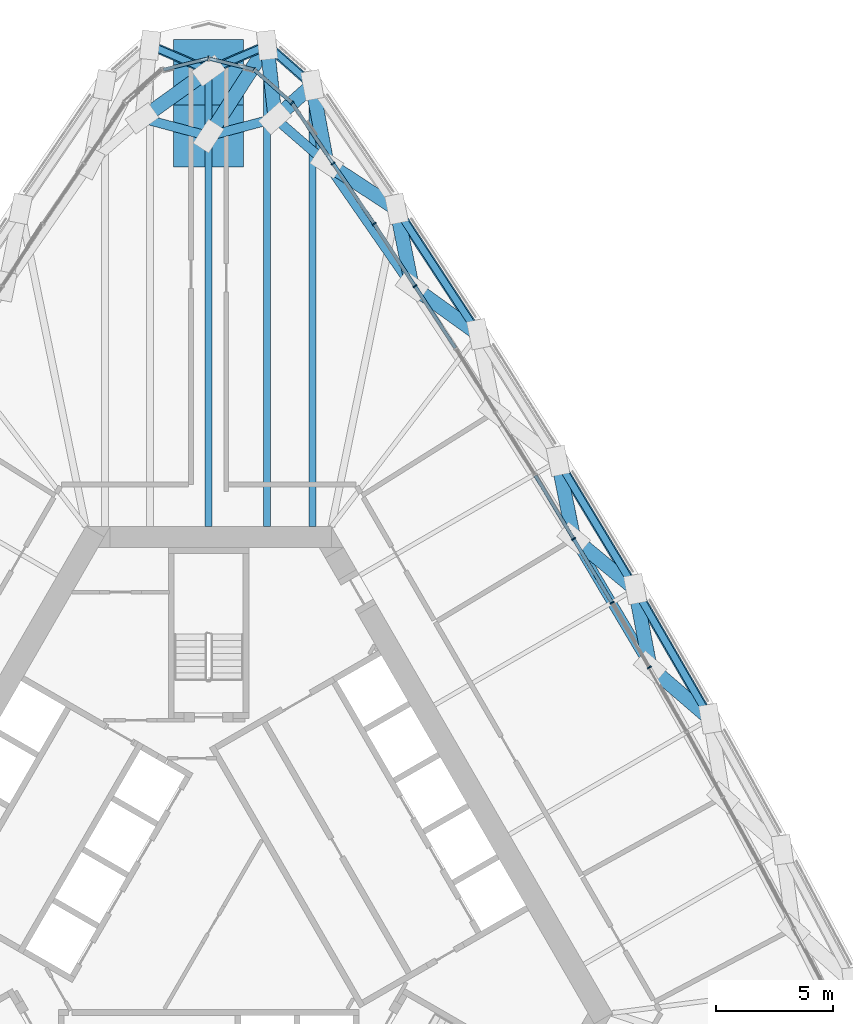
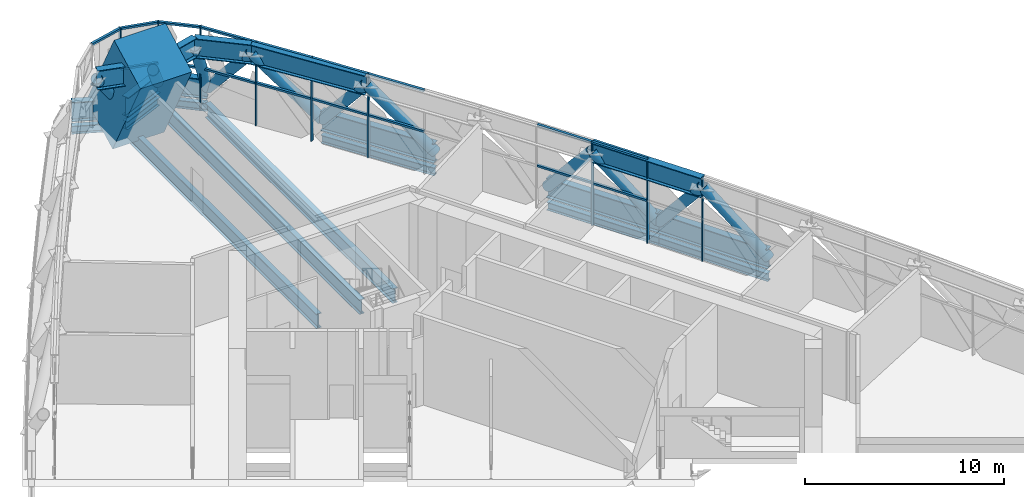
# One storey, part 9 of 43: 51 members, 9 beams, 2 elements without a shape of their own.
"""IFC4 building model written with IfcOpenShell, lengths in metres."""

from ifc_helpers import new_model, si_unit, direction, frame, origin, origin_2d, place, context, subcontext, project, spatial, rectangle, hollow_circle, i_section, extrude, material, material_profile, profile_set, type_object, element, aggregate, save


model = new_model("IFC4")

# Units and contexts
model_context = context("Model", 3, precision=1e-05, world=origin(), true_north=direction((0.0, 1.0)))
body_context = subcontext(model_context, "Body", "Model", "MODEL_VIEW")
ifc_project = project(units=[si_unit("LENGTHUNIT", "METRE"), si_unit("AREAUNIT", "SQUARE_METRE"), si_unit("VOLUMEUNIT", "CUBIC_METRE"), si_unit("PLANEANGLEUNIT", "RADIAN"), si_unit("MASSUNIT", "GRAM", prefix="KILO")], contexts=[model_context])

# Site, building, storey
site_placement = place(None, origin())
site = spatial("IfcSite", under=ifc_project, at=site_placement, CompositionType="ELEMENT")
building_placement = place(site_placement, origin())
building = spatial("IfcBuilding", under=site, at=building_placement, Name="Mestral Congress Tower", CompositionType="ELEMENT")
storey_placement = place(building_placement, frame((0.0, 0.0, 78.300048828125)))
storey = spatial("IfcBuildingStorey", under=building, at=storey_placement, Name="L18", CompositionType="ELEMENT", Elevation=78.300048828125)

# Members
ifc_material_1 = material(Name="Steel S355", Category="steel")
ifc_material_profile_1 = material_profile(ifc_material_1, i_section(OverallWidth=0.39990234375, OverallDepth=1.199951171875, WebThickness=0.02001953125, FlangeThickness=0.0400390625, FilletRadius=0.010009765625, at=origin_2d()), Name="WPG 1200")
ifc_profile_set_1 = profile_set([ifc_material_profile_1], Name="Steel S355")
member_type_1 = type_object("IfcMemberType", Name="Belt chord WPG 1200 S355", PredefinedType="CHORD", material=ifc_profile_set_1)
for number, where, z_axis, x_axis, name in (
    (1, (21.443359375, 8.685302734375, 0.599853515625), (-0.499999833739, 0.866025499775, 0.0), (-0.866025499775, -0.499999833739, 0.0), "MB-L18-BC1-E04"),
    (2, (18.243408203125, 14.227783203125, 0.599853515625), (-0.515908763091, 0.85664353623, 0.0), (-0.85664353623, -0.515908763091, 0.0), "MB-L18-BC1-E05"),
):
    element("IfcMember", number, at=place(storey_placement, frame(where, z_axis=z_axis, x_axis=x_axis)), inside=storey, type_object=member_type_1, Name=name, PredefinedType="CHORD", context=body_context, shape_type="SweptSolid", body=[
        extrude(i_section(OverallWidth=0.39990234375, OverallDepth=1.199951171875, WebThickness=0.02001953125, FlangeThickness=0.0400390625, FilletRadius=0.010009765625, at=origin_2d()), origin(), (0.0, 0.0, 1.0), 6.39990234375),
    ])
member_1_placement = place(storey_placement, frame((11.5390625, 25.130615234375, 0.599853515625), z_axis=(-0.547248335203, 0.836970285982, 0.0), x_axis=(-0.836970285982, -0.547248335203, 0.0)))
element("IfcMember", 3, at=member_1_placement, inside=storey, type_object=member_type_1, Name="MB-L18-BC1-E07", PredefinedType="CHORD", context=body_context, shape_type="SweptSolid", body=[
    extrude(i_section(OverallWidth=0.39990234375, OverallDepth=1.199951171875, WebThickness=0.02001953125, FlangeThickness=0.0400390625, FilletRadius=0.010009765625, at=origin_2d()), origin(), (0.0, 0.0, 1.0), 6.400146484375),
])
member_2_placement = place(storey_placement, frame((4.43603515625, 35.7783203125, 0.599853515625), z_axis=(-0.749865495527, 0.661590310251, 0.0), x_axis=(-0.661590310251, -0.749865495527, 0.0)))
element("IfcMember", 4, at=member_2_placement, inside=storey, type_object=member_type_1, Name="MB-L18-BC1-E09", PredefinedType="CHORD", context=body_context, shape_type="SweptSolid", body=[
    extrude(i_section(OverallWidth=0.39990234375, OverallDepth=1.199951171875, WebThickness=0.02001953125, FlangeThickness=0.0400390625, FilletRadius=0.010009765625, at=origin_2d()), origin(), (0.0, 0.0, 1.0), 2.57763671875),
])
for number, where, z_axis, x_axis, name in (
    (5, (2.503173828125, 37.483642578125, 0.599853515625), (-0.917554537012, -0.397609949082, 0.0), (0.397609949082, -0.917554537012, 0.0), "MB-L18-BC1-N1"),
    (6, (0.0, 36.39892578125, 0.599853515625), (-0.917554537012, 0.397609949082, 0.0), (-0.397609949082, -0.917554537012, 0.0), "MB-L18-BC1-N"),
):
    element("IfcMember", number, at=place(storey_placement, frame(where, z_axis=z_axis, x_axis=x_axis)), inside=storey, type_object=member_type_1, Name=name, PredefinedType="CHORD", context=body_context, shape_type="SweptSolid", body=[
        extrude(i_section(OverallWidth=0.39990234375, OverallDepth=1.199951171875, WebThickness=0.02001953125, FlangeThickness=0.0400390625, FilletRadius=0.010009765625, at=origin_2d()), origin(), (0.0, 0.0, 1.0), 2.72802734375),
    ])
for number, where, z_axis, x_axis, name in (
    (7, (18.873779296875, 10.896728515625, 4.550048828125), (-0.510062734342, 0.860137202448, 0.0), (-0.860137202448, -0.510062734342, 0.0), "MB-L18-TC1-E04"),
    (8, (8.69873046875, 27.17431640625, 4.550048828125), (-0.569132611813, 0.822245748041, 0.0), (-0.822245748041, -0.569132611813, 0.0), "MB-L18-TC1-E07"),
):
    element("IfcMember", number, at=place(storey_placement, frame(where, z_axis=z_axis, x_axis=x_axis)), inside=storey, type_object=member_type_1, Name=name, PredefinedType="CHORD", context=body_context, shape_type="SweptSolid", body=[
        extrude(i_section(OverallWidth=0.39990234375, OverallDepth=1.199951171875, WebThickness=0.02001953125, FlangeThickness=0.0400390625, FilletRadius=0.010009765625, at=origin_2d()), origin(), (0.0, 0.0, 1.0), 6.39990234375),
    ])
member_3_placement = place(storey_placement, frame((5.056396484375, 32.4365234375, 4.550048828125), z_axis=(-0.754932095534, 0.6558029667, 0.0), x_axis=(-0.6558029667, -0.754932095534, 0.0)))
element("IfcMember", 9, at=member_3_placement, inside=storey, type_object=member_type_1, Name="MB-L18-TC1-E08", PredefinedType="CHORD", context=body_context, shape_type="SweptSolid", body=[
    extrude(i_section(OverallWidth=0.39990234375, OverallDepth=1.199951171875, WebThickness=0.02001953125, FlangeThickness=0.0400390625, FilletRadius=0.010009765625, at=origin_2d()), origin(), (0.0, 0.0, 1.0), 2.92822265625),
])
for number, where, z_axis, x_axis, name in (
    (10, (2.845703125, 34.35693359375, 4.550048828125), (-0.96626107679, -0.257564616128, 0.0), (0.257564616128, -0.96626107679, 0.0), "MB-L18-TC1-N1"),
    (11, (0.0, 33.598388671875, 4.550048828125), (-0.96626107679, 0.257564616128, 0.0), (-0.257564616128, -0.96626107679, 0.0), "MB-L18-TC1-N"),
):
    element("IfcMember", number, at=place(storey_placement, frame(where, z_axis=z_axis, x_axis=x_axis)), inside=storey, type_object=member_type_1, Name=name, PredefinedType="CHORD", context=body_context, shape_type="SweptSolid", body=[
        extrude(i_section(OverallWidth=0.39990234375, OverallDepth=1.199951171875, WebThickness=0.02001953125, FlangeThickness=0.0400390625, FilletRadius=0.010009765625, at=origin_2d()), origin(), (0.0, 0.0, 1.0), 2.945068359375),
    ])
ifc_material_profile_2 = material_profile(ifc_material_1, hollow_circle(Radius=0.304931640625, WallThickness=0.02490234375, at=origin_2d()), Name="CHS 610x25")
ifc_profile_set_2 = profile_set([ifc_material_profile_2], Name="Steel S355")
member_type_2 = type_object("IfcMemberType", Name="Belt diagonal CHS 610x25 S355", PredefinedType="BRACE", material=ifc_profile_set_2)
for number, where, z_axis, x_axis, name in (
    (12, (21.443359375, 8.685302734375, 0.599853515625), (-0.493628286394, 0.424825179873, 0.758850895379), (-0.652308309705, -0.757953738093, 0.0), "MD-L18-BD1-E04.E04"),
    (13, (18.243408203125, 14.227783203125, 0.599853515625), (0.12109689042, -0.639909362079, 0.758848833072), (0.982561001482, 0.185940523734, 0.0), "MD-L18-BD1-E05.E04"),
):
    element("IfcMember", number, at=place(storey_placement, frame(where, z_axis=z_axis, x_axis=x_axis)), inside=storey, type_object=member_type_2, Name=name, PredefinedType="BRACE", context=body_context, shape_type="SweptSolid", body=[
        extrude(hollow_circle(Radius=0.304931640625, WallThickness=0.02490234375, at=origin_2d()), origin(), (0.0, 0.0, 1.0), 5.20556640625),
    ])
member_4_placement = place(storey_placement, frame((18.243408203125, 14.227783203125, 0.599853515625), z_axis=(-0.504425427225, 0.416294745019, 0.756474502966), x_axis=(-0.636513742391, -0.771265360137, 0.0)))
element("IfcMember", 14, at=member_4_placement, inside=storey, type_object=member_type_2, Name="MD-L18-BD1-E05.E05", PredefinedType="BRACE", context=body_context, shape_type="SweptSolid", body=[
    extrude(hollow_circle(Radius=0.304931640625, WallThickness=0.02490234375, at=origin_2d()), origin(), (0.0, 0.0, 1.0), 5.221923828125),
])
member_5_placement = place(storey_placement, frame((14.941650390625, 19.710205078125, 0.599853515625), z_axis=(0.128511534315, -0.636778176612, 0.760262020187), x_axis=(0.980236999269, 0.197826755682, 0.0)))
element("IfcMember", 15, at=member_5_placement, inside=storey, type_object=member_type_2, Name="MD-L18-BD1-E06.E05", PredefinedType="BRACE", context=body_context, shape_type="SweptSolid", body=[
    extrude(hollow_circle(Radius=0.304931640625, WallThickness=0.02490234375, at=origin_2d()), origin(), (0.0, 0.0, 1.0), 5.19580078125),
])
member_6_placement = place(storey_placement, frame((11.5390625, 25.130615234375, 0.599853515625), z_axis=(-0.538232858456, 0.387274132554, 0.748548018722), x_axis=(-0.584052889906, -0.81171560401, 0.0)))
element("IfcMember", 16, at=member_6_placement, inside=storey, type_object=member_type_2, Name="MD-L18-BD1-E07.E07", PredefinedType="BRACE", context=body_context, shape_type="SweptSolid", body=[
    extrude(hollow_circle(Radius=0.304931640625, WallThickness=0.02490234375, at=origin_2d()), origin(), (0.0, 0.0, 1.0), 5.277099609375),
])
member_7_placement = place(storey_placement, frame((8.03662109375, 30.4873046875, 0.599853515625), z_axis=(0.127379793677, -0.637368657892, 0.759957618621), x_axis=(0.980608459293, 0.195977165925, 0.0)))
element("IfcMember", 17, at=member_7_placement, inside=storey, type_object=member_type_2, Name="MD-L18-BD1-E08.E07", PredefinedType="BRACE", context=body_context, shape_type="SweptSolid", body=[
    extrude(hollow_circle(Radius=0.304931640625, WallThickness=0.02490234375, at=origin_2d()), origin(), (0.0, 0.0, 1.0), 5.197998046875),
])
member_8_placement = place(storey_placement, frame((8.03662109375, 30.4873046875, 0.599853515625), z_axis=(-0.560362542845, 0.366505655941, 0.742743175492), x_axis=(-0.547369423173, -0.836891100786, 0.0)))
element("IfcMember", 18, at=member_8_placement, inside=storey, type_object=member_type_2, Name="MD-L18-BD1-E08.E08", PredefinedType="BRACE", context=body_context, shape_type="SweptSolid", body=[
    extrude(hollow_circle(Radius=0.304931640625, WallThickness=0.02490234375, at=origin_2d()), origin(), (0.0, 0.0, 1.0), 5.318359375),
])
member_9_placement = place(storey_placement, frame((4.43603515625, 35.7783203125, 0.599853515625), z_axis=(0.119044089764, -0.641273317861, 0.758021791568), x_axis=(0.983202365215, 0.182518790913, 0.0)))
element("IfcMember", 19, at=member_9_placement, inside=storey, type_object=member_type_2, Name="MD-L18-BD1-E09.E08", PredefinedType="BRACE", context=body_context, shape_type="SweptSolid", body=[
    extrude(hollow_circle(Radius=0.304931640625, WallThickness=0.02490234375, at=origin_2d()), origin(), (0.0, 0.0, 1.0), 5.211181640625),
])
member_10_placement = place(storey_placement, frame((4.43603515625, 35.7783203125, 0.599853515625), z_axis=(-0.354251864133, -0.316618721673, 0.879919429178), x_axis=(0.666393267935, -0.745600437534, 0.0)))
element("IfcMember", 20, at=member_10_placement, inside=storey, type_object=member_type_2, Name="MD-L18-BD1-E09.N1", PredefinedType="BRACE", context=body_context, shape_type="SweptSolid", body=[
    extrude(hollow_circle(Radius=0.304931640625, WallThickness=0.02490234375, at=origin_2d()), origin(), (0.0, 0.0, 1.0), 4.4892578125),
])
member_11_placement = place(storey_placement, frame((2.503173828125, 37.483642578125, 0.599853515625), z_axis=(0.067833996321, -0.619208831706, 0.782290848521), x_axis=(0.994052932577, 0.108897967081, 0.0)))
element("IfcMember", 21, at=member_11_placement, inside=storey, type_object=member_type_2, Name="MD-L18-BD1-N1.N1", PredefinedType="BRACE", context=body_context, shape_type="SweptSolid", body=[
    extrude(hollow_circle(Radius=0.304931640625, WallThickness=0.02490234375, at=origin_2d()), origin(), (0.0, 0.0, 1.0), 5.049560546875),
])
member_12_placement = place(storey_placement, frame((2.503173828125, 37.483642578125, 0.599853515625), z_axis=(-0.411713349033, -0.63903308656, 0.649714423812), x_axis=(0.840635703987, -0.541600972287, 0.0)))
element("IfcMember", 22, at=member_12_placement, inside=storey, type_object=member_type_2, Name="MD-L18-BD1-N1.N", PredefinedType="BRACE", context=body_context, shape_type="SweptSolid", body=[
    extrude(hollow_circle(Radius=0.304931640625, WallThickness=0.02490234375, at=origin_2d()), origin(), (0.0, 0.0, 1.0), 6.079833984375),
])
member_13_placement = place(storey_placement, frame((0.0, 36.39892578125, 0.599853515625), z_axis=(-0.539022720432, -0.386786722177, 0.748231607463), x_axis=(0.583003912778, -0.812469345689, 0.0)))
element("IfcMember", 23, at=member_13_placement, inside=storey, type_object=member_type_2, Name="MD-L18-BD1-N.N3", PredefinedType="BRACE", context=body_context, shape_type="SweptSolid", body=[
    extrude(hollow_circle(Radius=0.304931640625, WallThickness=0.02490234375, at=origin_2d()), origin(), (0.0, 0.0, 1.0), 5.279296875),
])

# Curtain wall, members
ifc_material_2 = material(Name="Clear low-emissivity double glazing", Category="glass")
curtain_wall_type = type_object("IfcCurtainWallType", Name="Facade refuge band screen", PredefinedType="USERDEFINED", material=ifc_material_2)
placement = place(storey_placement, origin())
curtain_wall_1 = element("IfcCurtainWall", 24, at=placement, inside=storey, type_object=curtain_wall_type, Name="Facade refuge band screen face 2", ObjectType="CURTAIN WALL", PredefinedType="USERDEFINED")
ifc_material_3 = material(Name="Anodised aluminium", Category="aluminium")
ifc_material_profile_3 = material_profile(ifc_material_3, rectangle(XDim=0.179931640625, YDim=0.06005859375, at=origin_2d()), Name="CW3 mullion 180 x 60")
ifc_profile_set_3 = profile_set([ifc_material_profile_3], Name="Anodised aluminium")
member_type_3 = type_object("IfcMemberType", Name="Facade refuge band screen mullion", PredefinedType="MULLION", material=ifc_profile_set_3)
member_14_placement = place(storey_placement, frame((18.847412109375, 10.881591796875, 0.0), z_axis=(0.0, 0.0, 1.0), x_axis=(0.866025403784, 0.5, 0.0)))
member_14 = element("IfcMember", 25, at=member_14_placement, type_object=member_type_3, Name="Facade refuge band screen mullion", PredefinedType="MULLION", context=body_context, shape_type="SweptSolid", body=[
    extrude(rectangle(XDim=0.179931640625, YDim=0.06005859375, at=origin_2d()), origin(), (0.0, 0.0, 1.0), 5.14990234375),
])
member_15_placement = place(storey_placement, frame((17.252685546875, 13.6435546875, 0.0), z_axis=(0.0, 0.0, 1.0), x_axis=(0.861366842292, 0.507983427879, 0.0)))
member_15 = element("IfcMember", 26, at=member_15_placement, type_object=member_type_3, Name="Facade refuge band screen mullion", PredefinedType="MULLION", context=body_context, shape_type="SweptSolid", body=[
    extrude(rectangle(XDim=0.179931640625, YDim=0.06005859375, at=origin_2d()), origin(), (0.0, 0.0, 1.0), 5.14990234375),
])
member_16_placement = place(storey_placement, frame((15.607421875, 16.375732421875, 0.0), z_axis=(0.0, 0.0, 1.0), x_axis=(0.856634687929, 0.515923455017, 0.0)))
member_16 = element("IfcMember", 27, at=member_16_placement, type_object=member_type_3, Name="Facade refuge band screen mullion", PredefinedType="MULLION", context=body_context, shape_type="SweptSolid", body=[
    extrude(rectangle(XDim=0.179931640625, YDim=0.06005859375, at=origin_2d()), origin(), (0.0, 0.0, 1.0), 5.14990234375),
])
member_17_placement = place(storey_placement, frame((8.8251953125, 27.1796875, 0.0), z_axis=(0.0, 0.0, 1.0), x_axis=(0.836978321403, 0.547236045507, 0.0)))
member_17 = element("IfcMember", 28, at=member_17_placement, type_object=member_type_3, Name="Facade refuge band screen mullion", PredefinedType="MULLION", context=body_context, shape_type="SweptSolid", body=[
    extrude(rectangle(XDim=0.179931640625, YDim=0.06005859375, at=origin_2d()), origin(), (0.0, 0.0, 1.0), 5.14990234375),
])
member_18_placement = place(storey_placement, frame((7.080078125, 29.84912109375, 0.0), z_axis=(0.0, 0.0, 1.0), x_axis=(0.831884391755, 0.554948969505, 0.0)))
member_18 = element("IfcMember", 29, at=member_18_placement, type_object=member_type_3, Name="Facade refuge band screen mullion", PredefinedType="MULLION", context=body_context, shape_type="SweptSolid", body=[
    extrude(rectangle(XDim=0.179931640625, YDim=0.06005859375, at=origin_2d()), origin(), (0.0, 0.0, 1.0), 5.14990234375),
])
member_19_placement = place(storey_placement, frame((5.3232421875, 32.430419921875, 0.0), z_axis=(0.0, 0.0, 1.0), x_axis=(0.826719388137, 0.562614480153, 0.0)))
member_19 = element("IfcMember", 30, at=member_19_placement, type_object=member_type_3, Name="Facade refuge band screen mullion", PredefinedType="MULLION", context=body_context, shape_type="SweptSolid", body=[
    extrude(rectangle(XDim=0.179931640625, YDim=0.06005859375, at=origin_2d()), origin(), (0.0, 0.0, 1.0), 5.14990234375),
])

curtain_wall_2 = element("IfcCurtainWall", 31, at=placement, inside=storey, type_object=curtain_wall_type, Name="Facade refuge band screen corner 2", ObjectType="CURTAIN WALL", PredefinedType="USERDEFINED")
member_20_placement = place(storey_placement, frame((3.566650390625, 35.01171875, 0.0), z_axis=(0.0, 0.0, 1.0), x_axis=(0.661641717429, 0.749820136938, 0.0)))
member_20 = element("IfcMember", 32, at=member_20_placement, type_object=member_type_3, Name="Facade refuge band screen mullion", PredefinedType="MULLION", context=body_context, shape_type="SweptSolid", body=[
    extrude(rectangle(XDim=0.179931640625, YDim=0.06005859375, at=origin_2d()), origin(), (0.0, 0.0, 1.0), 5.14990234375),
])
member_21_placement = place(storey_placement, frame((1.9541015625, 36.434326171875, 0.0), z_axis=(0.0, 0.0, 1.0), x_axis=(0.463555863661, 0.886067695645, 0.0)))
member_21 = element("IfcMember", 33, at=member_21_placement, type_object=member_type_3, Name="Facade refuge band screen mullion", PredefinedType="MULLION", context=body_context, shape_type="SweptSolid", body=[
    extrude(rectangle(XDim=0.179931640625, YDim=0.06005859375, at=origin_2d()), origin(), (0.0, 0.0, 1.0), 5.14990234375),
])
member_22_placement = place(storey_placement, frame((0.0, 36.914794921875, 0.0), z_axis=(0.0, 0.0, 1.0), x_axis=(0.0, 1.0, 0.0)))
member_22 = element("IfcMember", 34, at=member_22_placement, type_object=member_type_3, Name="Facade refuge band screen mullion", PredefinedType="MULLION", context=body_context, shape_type="SweptSolid", body=[
    extrude(rectangle(XDim=0.179931640625, YDim=0.06005859375, at=origin_2d()), origin(), (0.0, 0.0, 1.0), 5.14990234375),
])

# Member
ifc_material_profile_4 = material_profile(ifc_material_3, rectangle(XDim=0.14990234375, YDim=0.1201171875, at=origin_2d()), Name="CW3 transom 150 x 120")
ifc_profile_set_4 = profile_set([ifc_material_profile_4], Name="Anodised aluminium")
member_type_4 = type_object("IfcMemberType", Name="Facade refuge band screen transom", PredefinedType="USERDEFINED", material=ifc_profile_set_4)
member_23_placement = place(storey_placement, frame((17.2373046875, 13.669189453125, 2.599853515625), z_axis=(-0.515894700776, 0.856652005024, 0.0), x_axis=(-0.856652005024, -0.515894700776, 0.0)))
member_23 = element("IfcMember", 35, at=member_23_placement, type_object=member_type_4, Name="Facade refuge band screen transom", ObjectType="TRANSOM", PredefinedType="USERDEFINED", context=body_context, shape_type="SweptSolid", body=[
    extrude(rectangle(XDim=0.14990234375, YDim=0.1201171875, at=origin_2d()), origin(), (0.0, 0.0, 1.0), 3.129638671875),
])

member_24_placement = place(storey_placement, frame((17.2373046875, 13.669189453125, 5.08984375), z_axis=(-0.515894700776, 0.856652005024, 0.0), x_axis=(-0.856652005024, -0.515894700776, 0.0)))
member_24 = element("IfcMember", 36, at=member_24_placement, type_object=member_type_4, Name="Facade refuge band screen transom", ObjectType="TRANSOM", PredefinedType="USERDEFINED", context=body_context, shape_type="SweptSolid", body=[
    extrude(rectangle(XDim=0.14990234375, YDim=0.1201171875, at=origin_2d()), origin(), (0.0, 0.0, 1.0), 3.129638671875),
])

member_25_placement = place(storey_placement, frame((15.591796875, 16.4013671875, 2.599853515625), z_axis=(-0.515929179549, 0.856631240202, 0.0), x_axis=(-0.856631240202, -0.515929179549, 0.0)))
member_25 = element("IfcMember", 37, at=member_25_placement, type_object=member_type_4, Name="Facade refuge band screen transom", ObjectType="TRANSOM", PredefinedType="USERDEFINED", context=body_context, shape_type="SweptSolid", body=[
    extrude(rectangle(XDim=0.14990234375, YDim=0.1201171875, at=origin_2d()), origin(), (0.0, 0.0, 1.0), 3.12939453125),
])

member_26_placement = place(storey_placement, frame((15.591796875, 16.4013671875, 5.08984375), z_axis=(-0.515929179549, 0.856631240202, 0.0), x_axis=(-0.856631240202, -0.515929179549, 0.0)))
member_26 = element("IfcMember", 38, at=member_26_placement, type_object=member_type_4, Name="Facade refuge band screen transom", ObjectType="TRANSOM", PredefinedType="USERDEFINED", context=body_context, shape_type="SweptSolid", body=[
    extrude(rectangle(XDim=0.14990234375, YDim=0.1201171875, at=origin_2d()), origin(), (0.0, 0.0, 1.0), 3.12939453125),
])

member_27_placement = place(storey_placement, frame((10.55419921875, 24.535400390625, 2.599853515625), z_axis=(-0.54722413799, 0.836986106695, 0.0), x_axis=(-0.836986106695, -0.54722413799, 0.0)))
member_27 = element("IfcMember", 39, at=member_27_placement, type_object=member_type_4, Name="Facade refuge band screen transom", ObjectType="TRANSOM", PredefinedType="USERDEFINED", context=body_context, shape_type="SweptSolid", body=[
    extrude(rectangle(XDim=0.14990234375, YDim=0.1201171875, at=origin_2d()), origin(), (0.0, 0.0, 1.0), 3.129150390625),
])

member_28_placement = place(storey_placement, frame((10.55419921875, 24.535400390625, 5.08984375), z_axis=(-0.54722413799, 0.836986106695, 0.0), x_axis=(-0.836986106695, -0.54722413799, 0.0)))
member_28 = element("IfcMember", 40, at=member_28_placement, type_object=member_type_4, Name="Facade refuge band screen transom", ObjectType="TRANSOM", PredefinedType="USERDEFINED", context=body_context, shape_type="SweptSolid", body=[
    extrude(rectangle(XDim=0.14990234375, YDim=0.1201171875, at=origin_2d()), origin(), (0.0, 0.0, 1.0), 3.129150390625),
])

member_29_placement = place(storey_placement, frame((8.808837890625, 27.20458984375, 2.599853515625), z_axis=(-0.547188405714, 0.83700946748, 0.0), x_axis=(-0.83700946748, -0.547188405714, 0.0)))
member_29 = element("IfcMember", 41, at=member_29_placement, type_object=member_type_4, Name="Facade refuge band screen transom", ObjectType="TRANSOM", PredefinedType="USERDEFINED", context=body_context, shape_type="SweptSolid", body=[
    extrude(rectangle(XDim=0.14990234375, YDim=0.1201171875, at=origin_2d()), origin(), (0.0, 0.0, 1.0), 3.12939453125),
])

member_30_placement = place(storey_placement, frame((8.808837890625, 27.20458984375, 5.08984375), z_axis=(-0.547188405714, 0.83700946748, 0.0), x_axis=(-0.83700946748, -0.547188405714, 0.0)))
member_30 = element("IfcMember", 42, at=member_30_placement, type_object=member_type_4, Name="Facade refuge band screen transom", ObjectType="TRANSOM", PredefinedType="USERDEFINED", context=body_context, shape_type="SweptSolid", body=[
    extrude(rectangle(XDim=0.14990234375, YDim=0.1201171875, at=origin_2d()), origin(), (0.0, 0.0, 1.0), 3.12939453125),
])

member_31_placement = place(storey_placement, frame((7.06298828125, 29.873779296875, 2.599853515625), z_axis=(-0.562604367309, 0.826726270228, 0.0), x_axis=(-0.826726270228, -0.562604367309, 0.0)))
member_31 = element("IfcMember", 43, at=member_31_placement, type_object=member_type_4, Name="Facade refuge band screen transom", ObjectType="TRANSOM", PredefinedType="USERDEFINED", context=body_context, shape_type="SweptSolid", body=[
    extrude(rectangle(XDim=0.14990234375, YDim=0.1201171875, at=origin_2d()), origin(), (0.0, 0.0, 1.0), 3.062255859375),
])

member_32_placement = place(storey_placement, frame((7.06298828125, 29.873779296875, 5.08984375), z_axis=(-0.562604367309, 0.826726270228, 0.0), x_axis=(-0.826726270228, -0.562604367309, 0.0)))
member_32 = element("IfcMember", 44, at=member_32_placement, type_object=member_type_4, Name="Facade refuge band screen transom", ObjectType="TRANSOM", PredefinedType="USERDEFINED", context=body_context, shape_type="SweptSolid", body=[
    extrude(rectangle(XDim=0.14990234375, YDim=0.1201171875, at=origin_2d()), origin(), (0.0, 0.0, 1.0), 3.062255859375),
])

member_33_placement = place(storey_placement, frame((5.306396484375, 32.455078125, 2.599853515625), z_axis=(-0.562604367309, 0.826726270228, 0.0), x_axis=(-0.826726270228, -0.562604367309, 0.0)))
member_33 = element("IfcMember", 45, at=member_33_placement, type_object=member_type_4, Name="Facade refuge band screen transom", ObjectType="TRANSOM", PredefinedType="USERDEFINED", context=body_context, shape_type="SweptSolid", body=[
    extrude(rectangle(XDim=0.14990234375, YDim=0.1201171875, at=origin_2d()), origin(), (0.0, 0.0, 1.0), 3.062255859375),
])

member_34_placement = place(storey_placement, frame((5.306396484375, 32.455078125, 5.08984375), z_axis=(-0.562604367309, 0.826726270228, 0.0), x_axis=(-0.826726270228, -0.562604367309, 0.0)))
member_34 = element("IfcMember", 46, at=member_34_placement, type_object=member_type_4, Name="Facade refuge band screen transom", ObjectType="TRANSOM", PredefinedType="USERDEFINED", context=body_context, shape_type="SweptSolid", body=[
    extrude(rectangle(XDim=0.14990234375, YDim=0.1201171875, at=origin_2d()), origin(), (0.0, 0.0, 1.0), 3.062255859375),
])

aggregate(curtain_wall_1, [member_14, member_15, member_16, member_17, member_18, member_19, member_23, member_24, member_25, member_26, member_27, member_28, member_29, member_30, member_31, member_32, member_33, member_34])

member_35_placement = place(storey_placement, frame((3.544189453125, 35.031494140625, 2.599853515625), z_axis=(-0.749820813115, 0.661640951136, 0.0), x_axis=(-0.661640951136, -0.749820813115, 0.0)))
member_35 = element("IfcMember", 47, at=member_35_placement, type_object=member_type_4, Name="Facade refuge band screen transom", ObjectType="TRANSOM", PredefinedType="USERDEFINED", context=body_context, shape_type="SweptSolid", body=[
    extrude(rectangle(XDim=0.14990234375, YDim=0.1201171875, at=origin_2d()), origin(), (0.0, 0.0, 1.0), 2.09033203125),
])

member_36_placement = place(storey_placement, frame((3.544189453125, 35.031494140625, 5.08984375), z_axis=(-0.749820813115, 0.661640951136, 0.0), x_axis=(-0.661640951136, -0.749820813115, 0.0)))
member_36 = element("IfcMember", 48, at=member_36_placement, type_object=member_type_4, Name="Facade refuge band screen transom", ObjectType="TRANSOM", PredefinedType="USERDEFINED", context=body_context, shape_type="SweptSolid", body=[
    extrude(rectangle(XDim=0.14990234375, YDim=0.1201171875, at=origin_2d()), origin(), (0.0, 0.0, 1.0), 2.09033203125),
])

member_37_placement = place(storey_placement, frame((1.925048828125, 36.44140625, 2.599853515625), z_axis=(-0.97109117847, 0.238708866817, 0.0), x_axis=(-0.238708866817, -0.97109117847, 0.0)))
member_37 = element("IfcMember", 49, at=member_37_placement, type_object=member_type_4, Name="Facade refuge band screen transom", ObjectType="TRANSOM", PredefinedType="USERDEFINED", context=body_context, shape_type="SweptSolid", body=[
    extrude(rectangle(XDim=0.14990234375, YDim=0.1201171875, at=origin_2d()), origin(), (0.0, 0.0, 1.0), 1.952392578125),
])

member_38_placement = place(storey_placement, frame((1.925048828125, 36.44140625, 5.08984375), z_axis=(-0.97109117847, 0.238708866817, 0.0), x_axis=(-0.238708866817, -0.97109117847, 0.0)))
member_38 = element("IfcMember", 50, at=member_38_placement, type_object=member_type_4, Name="Facade refuge band screen transom", ObjectType="TRANSOM", PredefinedType="USERDEFINED", context=body_context, shape_type="SweptSolid", body=[
    extrude(rectangle(XDim=0.14990234375, YDim=0.1201171875, at=origin_2d()), origin(), (0.0, 0.0, 1.0), 1.952392578125),
])

member_39_placement = place(storey_placement, frame((-0.029052734375, 36.907470703125, 2.599853515625), z_axis=(-0.97109117847, -0.238708866817, 0.0), x_axis=(0.238708866817, -0.97109117847, 0.0)))
member_39 = element("IfcMember", 51, at=member_39_placement, type_object=member_type_4, Name="Facade refuge band screen transom", ObjectType="TRANSOM", PredefinedType="USERDEFINED", context=body_context, shape_type="SweptSolid", body=[
    extrude(rectangle(XDim=0.14990234375, YDim=0.1201171875, at=origin_2d()), origin(), (0.0, 0.0, 1.0), 1.952392578125),
])

member_40_placement = place(storey_placement, frame((-0.029052734375, 36.907470703125, 5.08984375), z_axis=(-0.97109117847, -0.238708866817, 0.0), x_axis=(0.238708866817, -0.97109117847, 0.0)))
member_40 = element("IfcMember", 52, at=member_40_placement, type_object=member_type_4, Name="Facade refuge band screen transom", ObjectType="TRANSOM", PredefinedType="USERDEFINED", context=body_context, shape_type="SweptSolid", body=[
    extrude(rectangle(XDim=0.14990234375, YDim=0.1201171875, at=origin_2d()), origin(), (0.0, 0.0, 1.0), 1.952392578125),
])

aggregate(curtain_wall_2, [member_20, member_21, member_22, member_35, member_36, member_37, member_38, member_39, member_40])

# Beams
ifc_material_profile_5 = material_profile(ifc_material_1, i_section(OverallWidth=0.300048828125, OverallDepth=0.89990234375, WebThickness=0.0185546875, FlangeThickness=0.034912109375, FilletRadius=0.030029296875, at=origin_2d()), Name="HEB 900")
ifc_profile_set_5 = profile_set([ifc_material_profile_5], Name="Steel S355")
beam_type_1 = type_object("IfcBeamType", Name="Floor beam HEB 900 S355", PredefinedType="BEAM", material=ifc_profile_set_5)
beam_1_placement = place(storey_placement, frame((4.43603515625, 35.7783203125, -0.75), z_axis=(0.0, -1.0, 0.0), x_axis=(1.0, 0.0, 0.0)))
element("IfcBeam", 53, at=beam_1_placement, inside=storey, type_object=beam_type_1, Name="BM-L18-RB1-E09", PredefinedType="BEAM", context=body_context, shape_type="SweptSolid", body=[
    extrude(i_section(OverallWidth=0.300048828125, OverallDepth=0.89990234375, WebThickness=0.0185546875, FlangeThickness=0.034912109375, FilletRadius=0.030029296875, at=origin_2d()), origin(), (0.0, 0.0, 1.0), 18.87841796875),
])
beam_2_placement = place(storey_placement, frame((2.503173828125, 37.483642578125, -0.75), z_axis=(0.0, -1.0, 0.0), x_axis=(1.0, 0.0, 0.0)))
element("IfcBeam", 54, at=beam_2_placement, inside=storey, type_object=beam_type_1, Name="BM-L18-RB1-N1", PredefinedType="BEAM", context=body_context, shape_type="SweptSolid", body=[
    extrude(i_section(OverallWidth=0.300048828125, OverallDepth=0.89990234375, WebThickness=0.0185546875, FlangeThickness=0.034912109375, FilletRadius=0.030029296875, at=origin_2d()), origin(), (0.0, 0.0, 1.0), 20.583740234375),
])
beam_3_placement = place(storey_placement, frame((0.0, 36.39892578125, -0.75), z_axis=(0.0, -1.0, 0.0), x_axis=(1.0, 0.0, 0.0)))
element("IfcBeam", 55, at=beam_3_placement, inside=storey, type_object=beam_type_1, Name="BM-L18-RB1-N", PredefinedType="BEAM", context=body_context, shape_type="SweptSolid", body=[
    extrude(i_section(OverallWidth=0.300048828125, OverallDepth=0.89990234375, WebThickness=0.0185546875, FlangeThickness=0.034912109375, FilletRadius=0.030029296875, at=origin_2d()), origin(), (0.0, 0.0, 1.0), 19.4990234375),
])

# Member
ifc_material_4 = material(Name="Concrete C80/95", Category="concrete")
ifc_material_profile_6 = material_profile(ifc_material_4, rectangle(XDim=3.0, YDim=3.0, at=origin_2d()), Name="RC 3000x3000")
ifc_profile_set_6 = profile_set([ifc_material_profile_6], Name="Concrete C80/95")
member_type_5 = type_object("IfcMemberType", Name="Pylon shift strut RC 3000x3000 C80/95", PredefinedType="STRUT", material=ifc_profile_set_6)
member_41_placement = place(storey_placement, frame((0.0, 36.39892578125, 0.0), z_axis=(0.0, -0.46039331157, 0.887715043616), x_axis=(1.0, 0.0, 0.0)))
element("IfcMember", 56, at=member_41_placement, inside=storey, type_object=member_type_5, Name="MS-L18-PS1-N", PredefinedType="STRUT", context=body_context, shape_type="SweptSolid", body=[
    extrude(rectangle(XDim=3.0, YDim=3.0, at=origin_2d()), origin(), (0.0, 0.0, 1.0), 6.0830078125),
])

# Beams
ifc_material_profile_7 = material_profile(ifc_material_1, i_section(OverallWidth=0.300048828125, OverallDepth=0.489990234375, WebThickness=0.011962890625, FlangeThickness=0.02294921875, FilletRadius=0.027099609375, at=origin_2d()), Name="HEA 500")
ifc_profile_set_7 = profile_set([ifc_material_profile_7], Name="Steel S355")
beam_type_2 = type_object("IfcBeamType", Name="Spandrel beam HEA 500 S355", PredefinedType="BEAM", material=ifc_profile_set_7)
for number, where, z_axis, x_axis, name in (
    (57, (21.443359375, 8.685302734375, -0.545166015625), (-0.499999833739, 0.866025499775, 0.0), (-0.866025499775, -0.499999833739, 0.0), "SP-L18-SB1-E04"),
    (58, (18.243408203125, 14.227783203125, -0.545166015625), (-0.515908763091, 0.85664353623, 0.0), (-0.85664353623, -0.515908763091, 0.0), "SP-L18-SB1-E05"),
):
    element("IfcBeam", number, at=place(storey_placement, frame(where, z_axis=z_axis, x_axis=x_axis)), inside=storey, type_object=beam_type_2, Name=name, PredefinedType="BEAM", context=body_context, shape_type="SweptSolid", body=[
        extrude(i_section(OverallWidth=0.300048828125, OverallDepth=0.489990234375, WebThickness=0.011962890625, FlangeThickness=0.02294921875, FilletRadius=0.027099609375, at=origin_2d()), origin(), (0.0, 0.0, 1.0), 6.39990234375),
    ])
beam_4_placement = place(storey_placement, frame((11.5390625, 25.130615234375, -0.545166015625), z_axis=(-0.547248335203, 0.836970285982, 0.0), x_axis=(-0.836970285982, -0.547248335203, 0.0)))
element("IfcBeam", 59, at=beam_4_placement, inside=storey, type_object=beam_type_2, Name="SP-L18-SB1-E07", PredefinedType="BEAM", context=body_context, shape_type="SweptSolid", body=[
    extrude(i_section(OverallWidth=0.300048828125, OverallDepth=0.489990234375, WebThickness=0.011962890625, FlangeThickness=0.02294921875, FilletRadius=0.027099609375, at=origin_2d()), origin(), (0.0, 0.0, 1.0), 6.400146484375),
])
beam_5_placement = place(storey_placement, frame((4.43603515625, 35.7783203125, -0.545166015625), z_axis=(-0.749865495527, 0.661590310251, 0.0), x_axis=(-0.661590310251, -0.749865495527, 0.0)))
element("IfcBeam", 60, at=beam_5_placement, inside=storey, type_object=beam_type_2, Name="SP-L18-SB1-E09", PredefinedType="BEAM", context=body_context, shape_type="SweptSolid", body=[
    extrude(i_section(OverallWidth=0.300048828125, OverallDepth=0.489990234375, WebThickness=0.011962890625, FlangeThickness=0.02294921875, FilletRadius=0.027099609375, at=origin_2d()), origin(), (0.0, 0.0, 1.0), 2.57763671875),
])
for number, where, z_axis, x_axis, name in (
    (61, (2.503173828125, 37.483642578125, -0.545166015625), (-0.917554537012, -0.397609949082, 0.0), (0.397609949082, -0.917554537012, 0.0), "SP-L18-SB1-N1"),
    (62, (0.0, 36.39892578125, -0.545166015625), (-0.917554537012, 0.397609949082, 0.0), (-0.397609949082, -0.917554537012, 0.0), "SP-L18-SB1-N"),
):
    element("IfcBeam", number, at=place(storey_placement, frame(where, z_axis=z_axis, x_axis=x_axis)), inside=storey, type_object=beam_type_2, Name=name, PredefinedType="BEAM", context=body_context, shape_type="SweptSolid", body=[
        extrude(i_section(OverallWidth=0.300048828125, OverallDepth=0.489990234375, WebThickness=0.011962890625, FlangeThickness=0.02294921875, FilletRadius=0.027099609375, at=origin_2d()), origin(), (0.0, 0.0, 1.0), 2.72802734375),
    ])

save(model, "model.ifc")
